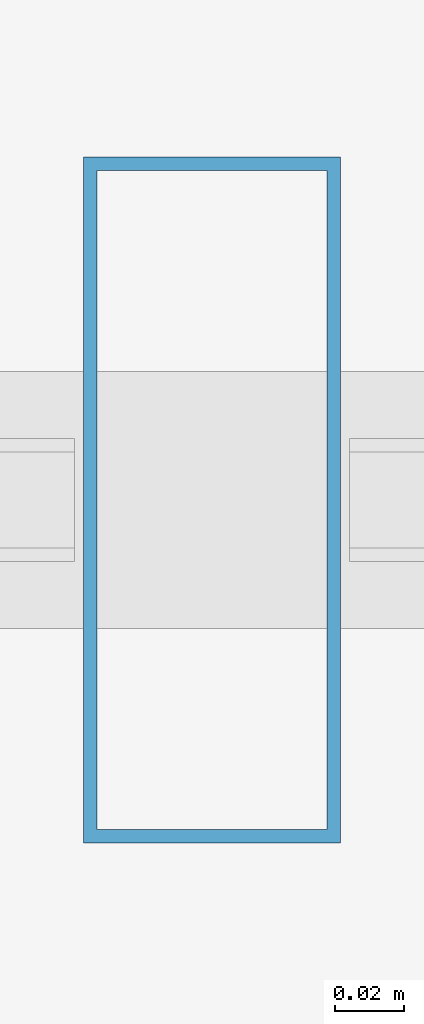
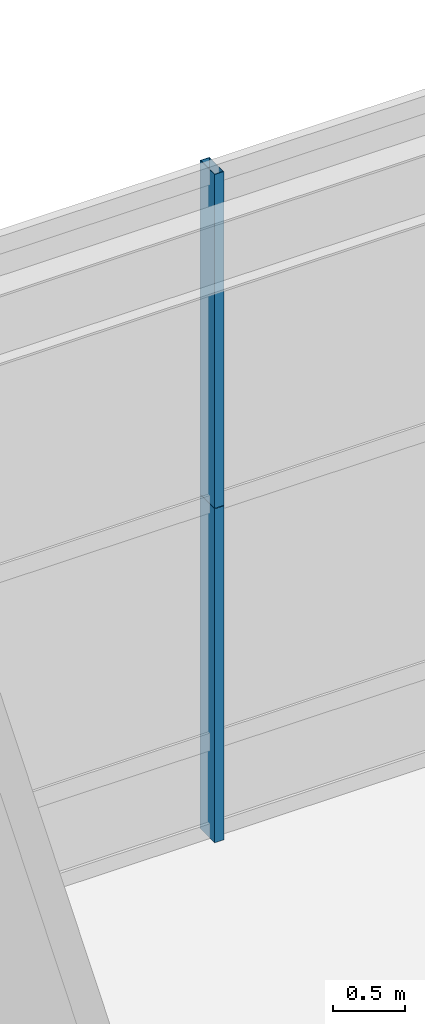
# One storey, part 21 of 39: 2 members, 1 element without a shape of its own.
"""IFC4 building model written with IfcOpenShell, lengths in metres."""

from ifc_helpers import new_model, si_unit, direction, frame, origin, origin_2d, place, context, subcontext, project, spatial, hollow_rectangle, extrude, source, transform, mapped, material, layer, layer_set, material_profile, profile_set, type_object, element, aggregate, save


model = new_model("IFC4")

# Units and contexts
model_context = context("Model", 3, precision=1e-05, world=origin(), true_north=direction((0.0, 1.0)))
body_context = subcontext(model_context, "Body", "Model", "MODEL_VIEW")
ifc_project = project(units=[si_unit("LENGTHUNIT", "METRE"), si_unit("AREAUNIT", "SQUARE_METRE"), si_unit("VOLUMEUNIT", "CUBIC_METRE"), si_unit("PLANEANGLEUNIT", "RADIAN"), si_unit("MASSUNIT", "GRAM", prefix="KILO"), si_unit("THERMODYNAMICTEMPERATUREUNIT", "KELVIN"), si_unit("POWERUNIT", "WATT")], contexts=[model_context])

# Site, building, storey
site_placement = place(None, origin())
site = spatial("IfcSite", under=ifc_project, at=site_placement, CompositionType="ELEMENT")
building_placement = place(site_placement, origin())
building = spatial("IfcBuilding", under=site, at=building_placement, Name="Yuzanri Waterfront Tower", CompositionType="ELEMENT")
storey_placement = place(building_placement, frame((0.0, 0.0, 19.800048828125)))
storey = spatial("IfcBuildingStorey", under=building, at=storey_placement, Name="L05", CompositionType="ELEMENT", Elevation=19.800048828125)

# Curtain wall, members
ifc_material_1 = material(Name="Anodized Architectural Bronze", Category="metal")
ifc_layer = layer(ifc_material_1, 0.159912109375)
ifc_layer_set = layer_set([ifc_layer], Name="Anodized Architectural Bronze")
curtain_wall_type = type_object("IfcCurtainWallType", Name="Anodized Bronze Podium Waterfront Double-Height Unitized Curtain Wall 8400", PredefinedType="NOTDEFINED", material=ifc_layer_set)
curtain_wall_placement = place(storey_placement, origin())
curtain_wall = element("IfcCurtainWall", 1, at=curtain_wall_placement, inside=storey, type_object=curtain_wall_type, Name="L05 Curtain Wall CW-L05-N1", PredefinedType="NOTDEFINED")
ifc_material_2 = material(Name="Anodized Architectural Bronze", Category="metal")
ifc_material_profile = material_profile(ifc_material_2, hollow_rectangle(XDim=0.074951171875, YDim=0.199951171875, WallThickness=0.00390625, at=origin_2d()), Name="CWM 75x200")
ifc_profile_set = profile_set([ifc_material_profile], Name="Anodized Architectural Bronze")
member_type = type_object("IfcMemberType", Name="Anodized Bronze Primary Curtain-Wall Mullion 75x200", PredefinedType="MULLION", material=ifc_profile_set)
shared_shape = source(origin(), body_context, "Body", "SweptSolid", [
    extrude(hollow_rectangle(XDim=0.074951171875, YDim=0.199951171875, WallThickness=0.00390625, at=origin_2d()), origin(), (0.0, 0.0, 1.0), 2.837890625),
])
member_1_placement = place(storey_placement, frame((26.25, 49.6201171875, 0.0), z_axis=(0.0, 0.0, 1.0), x_axis=(1.0, 0.0, 0.0)))
member_1 = element("IfcMember", 2, at=member_1_placement, type_object=member_type, Name="CW-L05-N1 Lower Mullion 01", PredefinedType="MULLION", context=body_context, shape_type="MappedRepresentation", body=[
    mapped(shared_shape, transform((0.0, 0.0, 0.0), scale=1.0)),
])
member_2_placement = place(storey_placement, frame((26.25, 49.6201171875, 2.842041015625), z_axis=(0.0, 0.0, 1.0), x_axis=(1.0, 0.0, 0.0)))
member_2 = element("IfcMember", 3, at=member_2_placement, type_object=member_type, Name="CW-L05-N1 Upper Mullion 01", PredefinedType="MULLION", context=body_context, shape_type="MappedRepresentation", body=[
    mapped(shared_shape, transform((0.0, 0.0, 0.0), scale=1.0)),
])
aggregate(curtain_wall, [member_1, member_2])

save(model, "model.ifc")
